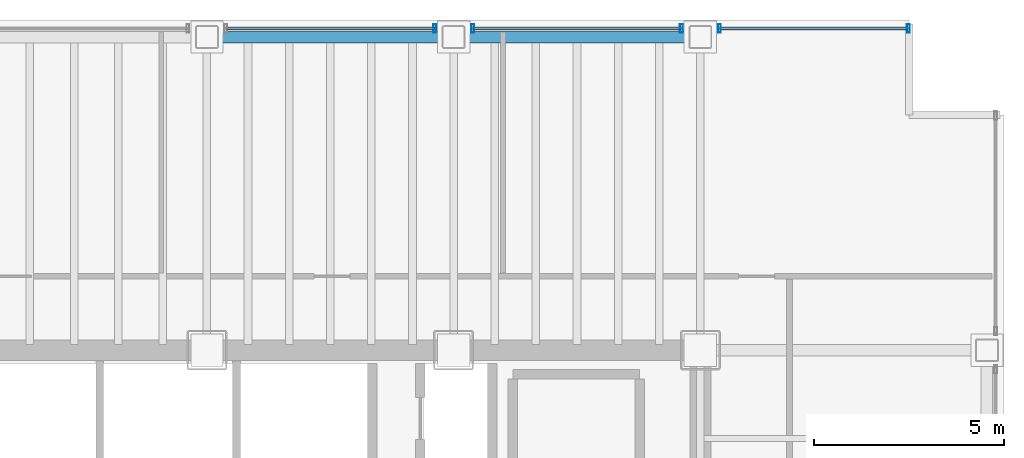
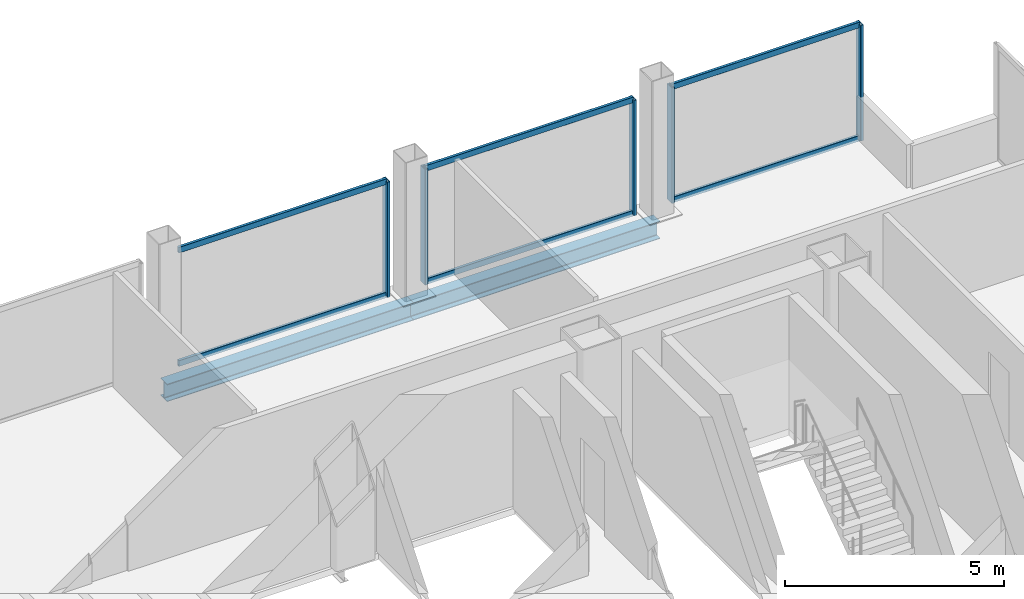
# One storey, part 16 of 21: 11 members, 2 beams, 3 elements without a shape of their own.
"""IFC4 building model written with IfcOpenShell, lengths in metres."""

from ifc_helpers import new_model, si_unit, direction, frame, origin, origin_2d, place, context, subcontext, project, spatial, hollow_rectangle, i_section, extrude, material, material_profile, profile_set, type_object, element, aggregate, save


model = new_model("IFC4")

# Units and contexts
model_context = context("Model", 3, precision=1e-05, world=origin(), true_north=direction((0.0, 1.0)))
body_context = subcontext(model_context, "Body", "Model", "MODEL_VIEW")
ifc_project = project(units=[si_unit("LENGTHUNIT", "METRE"), si_unit("AREAUNIT", "SQUARE_METRE"), si_unit("VOLUMEUNIT", "CUBIC_METRE"), si_unit("PLANEANGLEUNIT", "RADIAN"), si_unit("MASSUNIT", "GRAM", prefix="KILO")], contexts=[model_context])

# Site, building, storey
site_placement = place(None, origin())
site = spatial("IfcSite", under=ifc_project, at=site_placement, CompositionType="ELEMENT")
building_placement = place(site_placement, origin())
building = spatial("IfcBuilding", under=site, at=building_placement, Name="Noeulbin Bourse Tower", CompositionType="ELEMENT")
storey_placement = place(building_placement, frame((0.0, 0.0, 38.199951171875)))
storey = spatial("IfcBuildingStorey", under=building, at=storey_placement, Name="L09", CompositionType="ELEMENT", Elevation=38.199951171875)

# Beams
ifc_material_1 = material(Name="Steel S355", Category="steel")
ifc_material_profile_1 = material_profile(ifc_material_1, i_section(OverallWidth=0.300048828125, OverallDepth=0.488037109375, WebThickness=0.010986328125, FlangeThickness=0.01806640625, FilletRadius=0.02197265625, at=origin_2d()), Name="H-488x300x11x18", Category="LoadBearing")
ifc_profile_set_1 = profile_set([ifc_material_profile_1], Name="Steel S355")
beam_type = type_object("IfcBeamType", Name="BM-SPN-488", PredefinedType="SPANDREL", material=ifc_profile_set_1)
for number, where, z_axis, x_axis, name in (
    (1, (31.0, 46.550048828125, -0.424072265625), (1.0, 0.0, 0.0), (0.0, 1.0, 0.0), "North Spandrel L09-3"),
    (2, (37.5, 46.550048828125, -0.424072265625), (1.0, 0.0, 0.0), (0.0, 1.0, 0.0), "North Spandrel L09-4"),
):
    element("IfcBeam", number, at=place(storey_placement, frame(where, z_axis=z_axis, x_axis=x_axis)), inside=storey, type_object=beam_type, Name=name, PredefinedType="SPANDREL", context=body_context, shape_type="SweptSolid", body=[
        extrude(i_section(OverallWidth=0.300048828125, OverallDepth=0.488037109375, WebThickness=0.010986328125, FlangeThickness=0.01806640625, FilletRadius=0.02197265625, at=origin_2d()), origin(), (0.0, 0.0, 1.0), 6.5),
    ])

# Curtain wall, member
ifc_material_2 = material(Name="Dark Solar-Control Double Glazing", Category="glass")
curtain_wall_type = type_object("IfcCurtainWallType", Name="CW-SYS-2", PredefinedType="NOTDEFINED", material=ifc_material_2)
curtain_wall_1_placement = place(storey_placement, origin())
curtain_wall_1 = element("IfcCurtainWall", 3, at=curtain_wall_1_placement, inside=storey, type_object=curtain_wall_type, Name="Unitised Curtain Wall CW-L09-N-S4", PredefinedType="NOTDEFINED")
ifc_material_3 = material(Name="Anodised Aluminium 6063-T6", Category="aluminium")
ifc_material_profile_2 = material_profile(ifc_material_3, hollow_rectangle(XDim=0.074951171875, YDim=0.219970703125, WallThickness=0.0048828125, InnerFilletRadius=0.00244140625, OuterFilletRadius=0.0048828125, at=origin_2d()), Name="ALU-MULL-75x220x5", Category="LoadBearing")
ifc_profile_set_2 = profile_set([ifc_material_profile_2], Name="Anodised Aluminium 6063-T6")
member_type_1 = type_object("IfcMemberType", Name="CW-SYS-2-MUL", PredefinedType="MULLION", material=ifc_profile_set_2)
member_1_placement = place(storey_placement, frame((37.0, 46.780029296875, -0.02001953125), z_axis=(0.0, 0.0, 1.0), x_axis=(1.0, 0.0, 0.0)))
member_1 = element("IfcMember", 4, at=member_1_placement, type_object=member_type_1, Name="Curtain Wall Mullion CW-L09-N-S4-M01", PredefinedType="MULLION", context=body_context, shape_type="SweptSolid", body=[
    extrude(hollow_rectangle(XDim=0.074951171875, YDim=0.219970703125, WallThickness=0.0048828125, InnerFilletRadius=0.00244140625, OuterFilletRadius=0.0048828125, at=origin_2d()), origin(), (0.0, 0.0, 1.0), 3.219970703125),
])

# Curtain wall, members
curtain_wall_2_placement = place(storey_placement, origin())
curtain_wall_2 = element("IfcCurtainWall", 5, at=curtain_wall_2_placement, inside=storey, type_object=curtain_wall_type, Name="Unitised Curtain Wall CW-L09-N-S5", PredefinedType="NOTDEFINED")
member_2_placement = place(storey_placement, frame((38.0, 46.780029296875, -0.02001953125), z_axis=(0.0, 0.0, 1.0), x_axis=(1.0, 0.0, 0.0)))
member_2 = element("IfcMember", 6, at=member_2_placement, type_object=member_type_1, Name="Curtain Wall Mullion CW-L09-N-S5-M00", PredefinedType="MULLION", context=body_context, shape_type="SweptSolid", body=[
    extrude(hollow_rectangle(XDim=0.074951171875, YDim=0.219970703125, WallThickness=0.0048828125, InnerFilletRadius=0.00244140625, OuterFilletRadius=0.0048828125, at=origin_2d()), origin(), (0.0, 0.0, 1.0), 3.219970703125),
])
member_3_placement = place(storey_placement, frame((43.5, 46.780029296875, -0.02001953125), z_axis=(0.0, 0.0, 1.0), x_axis=(1.0, 0.0, 0.0)))
member_3 = element("IfcMember", 7, at=member_3_placement, type_object=member_type_1, Name="Curtain Wall Mullion CW-L09-N-S5-M01", PredefinedType="MULLION", context=body_context, shape_type="SweptSolid", body=[
    extrude(hollow_rectangle(XDim=0.074951171875, YDim=0.219970703125, WallThickness=0.0048828125, InnerFilletRadius=0.00244140625, OuterFilletRadius=0.0048828125, at=origin_2d()), origin(), (0.0, 0.0, 1.0), 3.219970703125),
])

curtain_wall_3_placement = place(storey_placement, origin())
curtain_wall_3 = element("IfcCurtainWall", 8, at=curtain_wall_3_placement, inside=storey, type_object=curtain_wall_type, Name="Unitised Curtain Wall CW-L09-N-S6", PredefinedType="NOTDEFINED")
member_4_placement = place(storey_placement, frame((44.5, 46.780029296875, -0.02001953125), z_axis=(0.0, 0.0, 1.0), x_axis=(1.0, 0.0, 0.0)))
member_4 = element("IfcMember", 9, at=member_4_placement, type_object=member_type_1, Name="Curtain Wall Mullion CW-L09-N-S6-M00", PredefinedType="MULLION", context=body_context, shape_type="SweptSolid", body=[
    extrude(hollow_rectangle(XDim=0.074951171875, YDim=0.219970703125, WallThickness=0.0048828125, InnerFilletRadius=0.00244140625, OuterFilletRadius=0.0048828125, at=origin_2d()), origin(), (0.0, 0.0, 1.0), 3.219970703125),
])
member_5_placement = place(storey_placement, frame((49.47998046875, 46.780029296875, -0.02001953125), z_axis=(0.0, 0.0, 1.0), x_axis=(1.0, 0.0, 0.0)))
member_5 = element("IfcMember", 10, at=member_5_placement, type_object=member_type_1, Name="Curtain Wall Mullion CW-L09-N-S6-M01", PredefinedType="MULLION", context=body_context, shape_type="SweptSolid", body=[
    extrude(hollow_rectangle(XDim=0.074951171875, YDim=0.219970703125, WallThickness=0.0048828125, InnerFilletRadius=0.00244140625, OuterFilletRadius=0.0048828125, at=origin_2d()), origin(), (0.0, 0.0, 1.0), 3.219970703125),
])

# Member
ifc_material_profile_3 = material_profile(ifc_material_3, hollow_rectangle(XDim=0.074951171875, YDim=0.159912109375, WallThickness=0.0048828125, InnerFilletRadius=0.00244140625, OuterFilletRadius=0.0048828125, at=origin_2d()), Name="ALU-TRAN-75x160x5", Category="LoadBearing")
ifc_profile_set_3 = profile_set([ifc_material_profile_3], Name="Anodised Aluminium 6063-T6")
member_type_2 = type_object("IfcMemberType", Name="CW-SYS-2-TRN", PredefinedType="USERDEFINED", material=ifc_profile_set_3)
member_6_placement = place(storey_placement, frame((31.510009765625, 46.780029296875, 0.010009765625), z_axis=(1.0, 0.0, 0.0), x_axis=(0.0, 1.0, 0.0)))
member_6 = element("IfcMember", 11, at=member_6_placement, type_object=member_type_2, Name="Curtain Wall Transom CW-L09-N-S4-T00", ObjectType="TRANSOM", PredefinedType="USERDEFINED", context=body_context, shape_type="SweptSolid", body=[
    extrude(hollow_rectangle(XDim=0.074951171875, YDim=0.159912109375, WallThickness=0.0048828125, InnerFilletRadius=0.00244140625, OuterFilletRadius=0.0048828125, at=origin_2d()), origin(), (0.0, 0.0, 1.0), 5.47998046875),
])

member_7_placement = place(storey_placement, frame((31.510009765625, 46.780029296875, 3.170166015625), z_axis=(1.0, 0.0, 0.0), x_axis=(0.0, 1.0, 0.0)))
member_7 = element("IfcMember", 12, at=member_7_placement, type_object=member_type_2, Name="Curtain Wall Transom CW-L09-N-S4-T01", ObjectType="TRANSOM", PredefinedType="USERDEFINED", context=body_context, shape_type="SweptSolid", body=[
    extrude(hollow_rectangle(XDim=0.074951171875, YDim=0.159912109375, WallThickness=0.0048828125, InnerFilletRadius=0.00244140625, OuterFilletRadius=0.0048828125, at=origin_2d()), origin(), (0.0, 0.0, 1.0), 5.47998046875),
])

aggregate(curtain_wall_1, [member_1, member_6, member_7])

member_8_placement = place(storey_placement, frame((38.010009765625, 46.780029296875, 0.010009765625), z_axis=(1.0, 0.0, 0.0), x_axis=(0.0, 1.0, 0.0)))
member_8 = element("IfcMember", 13, at=member_8_placement, type_object=member_type_2, Name="Curtain Wall Transom CW-L09-N-S5-T00", ObjectType="TRANSOM", PredefinedType="USERDEFINED", context=body_context, shape_type="SweptSolid", body=[
    extrude(hollow_rectangle(XDim=0.074951171875, YDim=0.159912109375, WallThickness=0.0048828125, InnerFilletRadius=0.00244140625, OuterFilletRadius=0.0048828125, at=origin_2d()), origin(), (0.0, 0.0, 1.0), 5.47998046875),
])

member_9_placement = place(storey_placement, frame((38.010009765625, 46.780029296875, 3.170166015625), z_axis=(1.0, 0.0, 0.0), x_axis=(0.0, 1.0, 0.0)))
member_9 = element("IfcMember", 14, at=member_9_placement, type_object=member_type_2, Name="Curtain Wall Transom CW-L09-N-S5-T01", ObjectType="TRANSOM", PredefinedType="USERDEFINED", context=body_context, shape_type="SweptSolid", body=[
    extrude(hollow_rectangle(XDim=0.074951171875, YDim=0.159912109375, WallThickness=0.0048828125, InnerFilletRadius=0.00244140625, OuterFilletRadius=0.0048828125, at=origin_2d()), origin(), (0.0, 0.0, 1.0), 5.47998046875),
])

aggregate(curtain_wall_2, [member_2, member_3, member_8, member_9])

member_10_placement = place(storey_placement, frame((44.510009765625, 46.780029296875, 0.010009765625), z_axis=(1.0, 0.0, 0.0), x_axis=(0.0, 1.0, 0.0)))
member_10 = element("IfcMember", 15, at=member_10_placement, type_object=member_type_2, Name="Curtain Wall Transom CW-L09-N-S6-T00", ObjectType="TRANSOM", PredefinedType="USERDEFINED", context=body_context, shape_type="SweptSolid", body=[
    extrude(hollow_rectangle(XDim=0.074951171875, YDim=0.159912109375, WallThickness=0.0048828125, InnerFilletRadius=0.00244140625, OuterFilletRadius=0.0048828125, at=origin_2d()), origin(), (0.0, 0.0, 1.0), 4.9599609375),
])

member_11_placement = place(storey_placement, frame((44.510009765625, 46.780029296875, 3.170166015625), z_axis=(1.0, 0.0, 0.0), x_axis=(0.0, 1.0, 0.0)))
member_11 = element("IfcMember", 16, at=member_11_placement, type_object=member_type_2, Name="Curtain Wall Transom CW-L09-N-S6-T01", ObjectType="TRANSOM", PredefinedType="USERDEFINED", context=body_context, shape_type="SweptSolid", body=[
    extrude(hollow_rectangle(XDim=0.074951171875, YDim=0.159912109375, WallThickness=0.0048828125, InnerFilletRadius=0.00244140625, OuterFilletRadius=0.0048828125, at=origin_2d()), origin(), (0.0, 0.0, 1.0), 4.9599609375),
])

aggregate(curtain_wall_3, [member_4, member_5, member_10, member_11])

save(model, "model.ifc")
